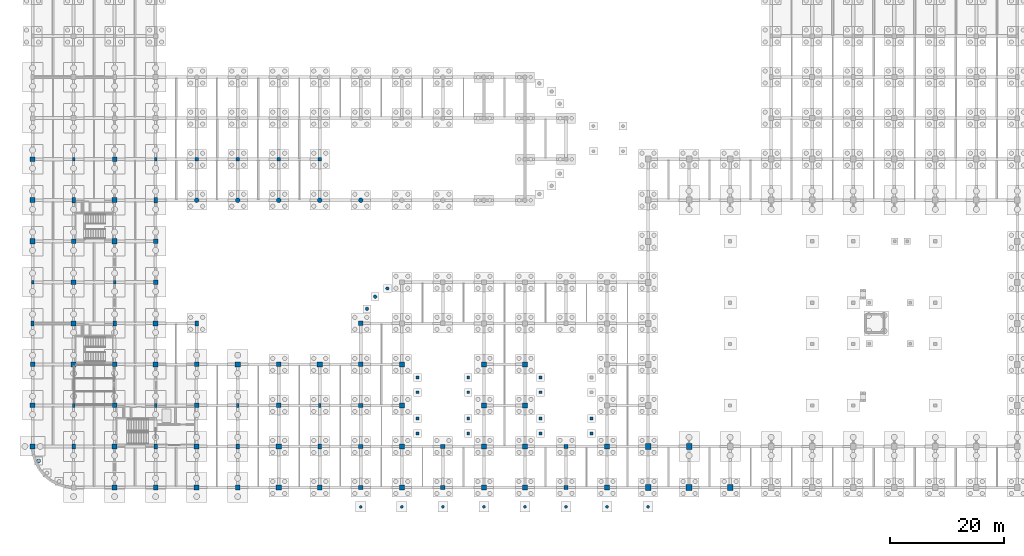
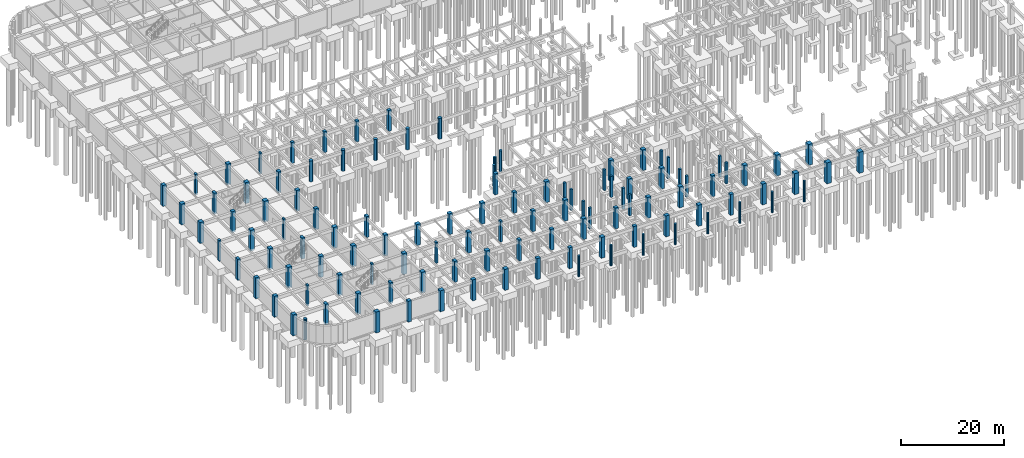
# One storey, part 14 of 47: 114 columns.
"""IFC4 building model written with IfcOpenShell, lengths in metres."""

import ifcopenshell
import ifcopenshell.guid

model = None  # the IFC model being written
_history = None  # IfcOwnerHistory: only IFC2X3 demands one
_inside = {}  # id of a spatial element -> (the spatial element, [elements in it])
_under = {}  # id of a project, library or spatial element -> (it, [spatial elements below it])
_declared = {}  # id of a project -> (the project, [libraries it declares])
_typed = {}  # id of a type object -> (the type object, [elements of that type])
_made_of = {}  # id of a material, layer set ... -> (it, [elements and type objects made of it])


def new_model(schema):
    """Start an empty IFC model of exactly this schema.

    Asked for "IFC4X3", IfcOpenShell would pick the latest addendum, in which some entities
    have other attributes; the version numbers below select the first issue.
    IFC2X3 requires an IfcOwnerHistory on every rooted entity: one is made here for all.
    """
    global model, _history
    if schema == "IFC4X3":
        model = ifcopenshell.file(schema_version=(4, 3, 0, 0))
    else:
        model = ifcopenshell.file(schema=schema)
    _inside.clear()
    _under.clear()
    _declared.clear()
    _typed.clear()
    _made_of.clear()
    _history = None
    if model.schema == "IFC2X3":
        org = make("IfcOrganization", Name="unknown")
        user = make(
            "IfcPersonAndOrganization",
            ThePerson=make("IfcPerson", FamilyName="unknown"),
            TheOrganization=org,
        )
        app = make(
            "IfcApplication",
            ApplicationDeveloper=org,
            Version="unknown",
            ApplicationFullName="unknown",
            ApplicationIdentifier="unknown",
        )
        _history = make(
            "IfcOwnerHistory",
            OwningUser=user,
            OwningApplication=app,
            ChangeAction="ADDED",
            CreationDate=0,
        )
    return model


def make(cls, **values):
    """One entity of the class cls with the attributes given. An attribute that is None is left unset."""
    return model.create_entity(
        cls, **{name: value for name, value in values.items() if value is not None}
    )


def rooted(cls, **values):
    """An entity with a GlobalId (a new one), such as an element, a storey or a relation."""
    return make(cls, GlobalId=ifcopenshell.guid.new(), OwnerHistory=_history, **values)


def si_unit(unit_type, name, prefix=None):
    """IfcSIUnit, for example si_unit("LENGTHUNIT", "METRE", prefix="MILLI")."""
    return make("IfcSIUnit", UnitType=unit_type, Prefix=prefix, Name=name)


def assignment(units):
    """IfcUnitAssignment: the units of a project."""
    return None if units is None else make("IfcUnitAssignment", Units=units)


def point(xyz):
    """IfcCartesianPoint."""
    return None if xyz is None else make("IfcCartesianPoint", Coordinates=xyz)


def direction(xyz):
    """IfcDirection."""
    return None if xyz is None else make("IfcDirection", DirectionRatios=xyz)


def frame(location, z_axis=None, x_axis=None):
    """IfcAxis2Placement3D, a coordinate frame: its origin and axes. An axis left out is left unset."""
    return make(
        "IfcAxis2Placement3D",
        Location=point(location),
        Axis=direction(z_axis),
        RefDirection=direction(x_axis),
    )


def frame_2d(location, x_axis=None):
    """IfcAxis2Placement2D, a coordinate frame in the plane: its origin and x axis."""
    return make(
        "IfcAxis2Placement2D", Location=point(location), RefDirection=direction(x_axis)
    )


def origin():
    """The frame at (0, 0, 0) with its axes left unset."""
    return frame((0.0, 0.0, 0.0))


def origin_2d():
    """The frame at (0, 0) in the plane with its x axis left unset."""
    return frame_2d((0.0, 0.0))


def place(relative_to, where):
    """IfcLocalPlacement: puts the frame where relative to a parent placement (None: the world)."""
    return make(
        "IfcLocalPlacement", PlacementRelTo=relative_to, RelativePlacement=where
    )


def context(
    kind, dimensions, precision=None, world=None, true_north=None, identifier=None
):
    """IfcGeometricRepresentationContext, for example the 3D "Model" context."""
    return make(
        "IfcGeometricRepresentationContext",
        ContextIdentifier=identifier,
        ContextType=kind,
        CoordinateSpaceDimension=dimensions,
        Precision=precision,
        WorldCoordinateSystem=world,
        TrueNorth=true_north,
    )


def subcontext(parent, identifier, kind, view, scale=None):
    """IfcGeometricRepresentationSubContext, for example "Body" below "Model"."""
    return make(
        "IfcGeometricRepresentationSubContext",
        ContextIdentifier=identifier,
        ContextType=kind,
        ParentContext=parent,
        TargetScale=scale,
        TargetView=view,
    )


def project(units=None, contexts=None):
    """IfcProject with its units and contexts."""
    return rooted(
        "IfcProject",
        Name="project",
        RepresentationContexts=contexts,
        UnitsInContext=assignment(units),
    )


def spatial(cls, under=None, at=None, **own):
    """A site, building, storey or space (cls), placed at a placement, below another one or the project."""
    s = rooted(cls, ObjectPlacement=at, **own)
    if under is not None:
        _under.setdefault(under.id(), (under, []))[1].append(s)
    return s


def profile(cls, at=None, kind="AREA", **sizes):
    """A parametric profile (cls). Its sizes go by their IFC names, for example OverallWidth=200.0."""
    return make(cls, ProfileType=kind, Position=at, **sizes)


def rectangle(**sizes):
    """IfcRectangleProfileDef."""
    return profile("IfcRectangleProfileDef", **sizes)


def circle(**sizes):
    """IfcCircleProfileDef."""
    return profile("IfcCircleProfileDef", **sizes)


def extrude(swept, where, along, depth):
    """IfcExtrudedAreaSolid: the profile swept, set in the frame where, extruded along a direction by depth."""
    return make(
        "IfcExtrudedAreaSolid",
        SweptArea=swept,
        Position=where,
        ExtrudedDirection=direction(along),
        Depth=depth,
    )


def shape(context_of_items, identifier, shape_type, items):
    """IfcShapeRepresentation: the items that make up one representation, for example the "Body"."""
    return make(
        "IfcShapeRepresentation",
        ContextOfItems=context_of_items,
        RepresentationIdentifier=identifier,
        RepresentationType=shape_type,
        Items=items,
    )


def material(Name=None, Category=None):
    """IfcMaterial."""
    return make("IfcMaterial", Name=Name, Category=Category)


def material_profile(
    of_material, cross_section, Name=None, Category=None, Priority=None
):
    """IfcMaterialProfile: a cross section and its material."""
    return make(
        "IfcMaterialProfile",
        Name=Name,
        Material=of_material,
        Profile=cross_section,
        Priority=Priority,
        Category=Category,
    )


def profile_set(profiles, Name=None, composite=None):
    """IfcMaterialProfileSet."""
    return make(
        "IfcMaterialProfileSet",
        Name=Name,
        MaterialProfiles=profiles,
        CompositeProfile=composite,
    )


def made_of(thing, what):
    """Note that an element or type object is made of a material, layer set ...; save() writes the relation."""
    if what is not None:
        _made_of.setdefault(what.id(), (what, []))[1].append(thing)
    return thing


def type_object(cls, material=None, **own):
    """A type object (cls), such as IfcWallType, which elements share."""
    return made_of(rooted(cls, **own), material)


def element(
    cls,
    number,
    at=None,
    inside=None,
    cuts=None,
    type_object=None,
    material=None,
    context=None,
    identifier="Body",
    shape_type=None,
    held_by="IfcProductDefinitionShape",
    body=None,
    shapes=None,
    **own,
):
    """One element of the class cls, such as IfcWall. Its Tag is "e" and its number.

    at: its placement. inside: the storey or other place that contains it. cuts: it is an
    opening in that element (IfcRelVoidsElement). A single representation is given by context,
    identifier, shape_type and body (its items); several are given by shapes. held_by: the class
    of the entity that holds the representations. save() writes the other relations.
    """
    e = rooted(cls, Tag="e%d" % number, ObjectPlacement=at, **own)
    if body is not None:
        shapes = [shape(context, identifier, shape_type, body)]
    if shapes is not None:
        e.Representation = make(held_by, Representations=shapes)
    if inside is not None:
        _inside.setdefault(inside.id(), (inside, []))[1].append(e)
    if cuts is not None:
        rooted(
            "IfcRelVoidsElement", RelatingBuildingElement=cuts, RelatedOpeningElement=e
        )
    if type_object is not None:
        _typed.setdefault(type_object.id(), (type_object, []))[1].append(e)
    return made_of(e, material)


def aggregate(whole, parts):
    """IfcRelAggregates: a whole, such as a stair, and the parts it consists of."""
    return rooted("IfcRelAggregates", RelatingObject=whole, RelatedObjects=parts)


def save(model, path):
    """Write the relations noted so far, then the file.

    IfcRelAggregates (storeys below a building ...), IfcRelContainedInSpatialStructure (elements
    in a storey), IfcRelDefinesByType, IfcRelAssociatesMaterial and IfcRelDeclares: one each for
    every whole, place, type object, material and project.
    """
    for whole, parts in _under.values():
        aggregate(whole, parts)
    for where, things in _inside.values():
        rooted(
            "IfcRelContainedInSpatialStructure",
            RelatedElements=things,
            RelatingStructure=where,
        )
    for kind, things in _typed.values():
        rooted("IfcRelDefinesByType", RelatedObjects=things, RelatingType=kind)
    for what, things in _made_of.values():
        rooted("IfcRelAssociatesMaterial", RelatedObjects=things, RelatingMaterial=what)
    for by, libraries in _declared.values():
        rooted("IfcRelDeclares", RelatingContext=by, RelatedDefinitions=libraries)
    model.write(path)


model = new_model("IFC4")

# Units and contexts
model_context = context("Model", 3, precision=1e-05, world=origin(), true_north=direction((0.0, 1.0)))
body_context = subcontext(model_context, "Body", "Model", "MODEL_VIEW")
ifc_project = project(units=[si_unit("LENGTHUNIT", "METRE"), si_unit("AREAUNIT", "SQUARE_METRE"), si_unit("VOLUMEUNIT", "CUBIC_METRE"), si_unit("PLANEANGLEUNIT", "RADIAN"), si_unit("MASSUNIT", "GRAM", prefix="KILO")], contexts=[model_context])

# Site, building, storey
site_placement = place(None, origin())
site = spatial("IfcSite", under=ifc_project, at=site_placement, CompositionType="ELEMENT")
building_placement = place(site_placement, origin())
building = spatial("IfcBuilding", under=site, at=building_placement, Name="Thalmaran Polytechnic", CompositionType="ELEMENT")
storey_placement = place(building_placement, frame((0.0, 0.0, -4.5)))
storey = spatial("IfcBuildingStorey", under=building, at=storey_placement, Name="B1", CompositionType="ELEMENT", Elevation=-4.5)

# Columns
ifc_material_1 = material(Name="Concrete C40/50", Category="concrete")
ifc_material_profile_1 = material_profile(ifc_material_1, circle(Radius=0.25, at=origin_2d()), Name="RC 500 DIA")
ifc_profile_set_1 = profile_set([ifc_material_profile_1], Name="Concrete C40/50")
column_type_1 = type_object("IfcColumnType", Name="COL-AC1", PredefinedType="COLUMN", material=ifc_profile_set_1)
for number, where, z_axis, x_axis, name in (
    (1, (57.60009765625, -3.39990234375, -0.449951171875), (0.0, 0.0, 1.0), (1.0, 0.0, 0.0), "South Arcade Foundation Pier S0"),
    (2, (64.800048828125, -3.39990234375, -0.449951171875), (0.0, 0.0, 1.0), (1.0, 0.0, 0.0), "South Arcade Foundation Pier S1"),
    (3, (72.0, -3.39990234375, -0.449951171875), (0.0, 0.0, 1.0), (1.0, 0.0, 0.0), "South Arcade Foundation Pier S2"),
    (4, (79.199951171875, -3.39990234375, -0.449951171875), (0.0, 0.0, 1.0), (1.0, 0.0, 0.0), "South Arcade Foundation Pier S3"),
    (5, (86.39990234375, -3.39990234375, -0.449951171875), (0.0, 0.0, 1.0), (1.0, 0.0, 0.0), "South Arcade Foundation Pier S4"),
    (6, (93.60009765625, -3.39990234375, -0.449951171875), (0.0, 0.0, 1.0), (1.0, 0.0, 0.0), "South Arcade Foundation Pier S5"),
    (7, (100.800048828125, -3.39990234375, -0.449951171875), (0.0, 0.0, 1.0), (1.0, 0.0, 0.0), "South Arcade Foundation Pier S6"),
    (8, (108.0, -3.39990234375, -0.449951171875), (0.0, 0.0, 1.0), (1.0, 0.0, 0.0), "South Arcade Foundation Pier S7"),
):
    element("IfcColumn", number, at=place(storey_placement, frame(where, z_axis=z_axis, x_axis=x_axis)), inside=storey, type_object=column_type_1, Name=name, PredefinedType="COLUMN", context=body_context, shape_type="SweptSolid", body=[
        extrude(circle(Radius=0.25, at=origin_2d()), origin(), (0.0, 0.0, 1.0), 4.949951171875),
    ])
ifc_material_2 = material(Name="Concrete C50/60", Category="concrete")
ifc_material_profile_2 = material_profile(ifc_material_2, rectangle(XDim=0.89990234375, YDim=0.89990234375, at=origin_2d()), Name="RC 900x900")
ifc_profile_set_2 = profile_set([ifc_material_profile_2], Name="Concrete C50/60")
column_type_2 = type_object("IfcColumnType", Name="COL-C01", PredefinedType="COLUMN", material=ifc_profile_set_2)
for number, where, z_axis, x_axis, name in (
    (9, (0.0, 43.199951171875, -0.449951171875), (0.0, 0.0, 1.0), (1.0, 0.0, 0.0), "Column C01 B1 (0,6)"),
    (10, (7.199951171875, 21.60009765625, -0.449951171875), (0.0, 0.0, 1.0), (1.0, 0.0, 0.0), "Column C01 B1 (1,3)"),
    (11, (14.39990234375, 0.0, -0.449951171875), (0.0, 0.0, 1.0), (1.0, 0.0, 0.0), "Column C01 B1 (2,0)"),
    (12, (14.39990234375, 43.199951171875, -0.449951171875), (0.0, 0.0, 1.0), (1.0, 0.0, 0.0), "Column C01 B1 (2,6)"),
    (13, (21.60009765625, 21.60009765625, -0.449951171875), (0.0, 0.0, 1.0), (1.0, 0.0, 0.0), "Column C01 B1 (3,3)"),
    (14, (28.800048828125, 0.0, -0.449951171875), (0.0, 0.0, 1.0), (1.0, 0.0, 0.0), "Column C01 B1 (4,0)"),
    (15, (36.0, 21.60009765625, -0.449951171875), (0.0, 0.0, 1.0), (1.0, 0.0, 0.0), "Column C01 B1 (5,3)"),
    (16, (43.199951171875, 0.0, -0.449951171875), (0.0, 0.0, 1.0), (1.0, 0.0, 0.0), "Column C01 B1 (6,0)"),
    (17, (50.39990234375, 21.60009765625, -0.449951171875), (0.0, 0.0, 1.0), (1.0, 0.0, 0.0), "Column C01 B1 (7,3)"),
):
    element("IfcColumn", number, at=place(storey_placement, frame(where, z_axis=z_axis, x_axis=x_axis)), inside=storey, type_object=column_type_2, Name=name, PredefinedType="COLUMN", context=body_context, shape_type="SweptSolid", body=[
        extrude(rectangle(XDim=0.89990234375, YDim=0.89990234375, at=origin_2d()), origin(), (0.0, 0.0, 1.0), 4.949951171875),
    ])
ifc_material_profile_3 = material_profile(ifc_material_2, rectangle(XDim=0.85009765625, YDim=0.85009765625, at=origin_2d()), Name="RC 850x850")
ifc_profile_set_3 = profile_set([ifc_material_profile_3], Name="Concrete C50/60")
column_type_3 = type_object("IfcColumnType", Name="COL-C02", PredefinedType="COLUMN", material=ifc_profile_set_3)
for number, where, z_axis, x_axis, name in (
    (18, (64.800048828125, 0.0, -0.449951171875), (0.0, 0.0, 1.0), (1.0, 0.0, 0.0), "Column C02 B1 (9,0)"),
    (19, (64.800048828125, 7.199951171875, -0.449951171875), (0.0, 0.0, 1.0), (1.0, 0.0, 0.0), "Column C02 B1 (9,1)"),
    (20, (64.800048828125, 14.39990234375, -0.449951171875), (0.0, 0.0, 1.0), (1.0, 0.0, 0.0), "Column C02 B1 (9,2)"),
    (21, (64.800048828125, 21.60009765625, -0.449951171875), (0.0, 0.0, 1.0), (1.0, 0.0, 0.0), "Column C02 B1 (9,3)"),
    (22, (79.199951171875, 0.0, -0.449951171875), (0.0, 0.0, 1.0), (1.0, 0.0, 0.0), "Column C02 B1 (11,0)"),
    (23, (79.199951171875, 7.199951171875, -0.449951171875), (0.0, 0.0, 1.0), (1.0, 0.0, 0.0), "Column C02 B1 (11,1)"),
    (24, (79.199951171875, 14.39990234375, -0.449951171875), (0.0, 0.0, 1.0), (1.0, 0.0, 0.0), "Column C02 B1 (11,2)"),
    (25, (79.199951171875, 21.60009765625, -0.449951171875), (0.0, 0.0, 1.0), (1.0, 0.0, 0.0), "Column C02 B1 (11,3)"),
    (26, (86.39990234375, 0.0, -0.449951171875), (0.0, 0.0, 1.0), (1.0, 0.0, 0.0), "Column C02 B1 (12,0)"),
    (27, (86.39990234375, 7.199951171875, -0.449951171875), (0.0, 0.0, 1.0), (1.0, 0.0, 0.0), "Column C02 B1 (12,1)"),
    (28, (86.39990234375, 14.39990234375, -0.449951171875), (0.0, 0.0, 1.0), (1.0, 0.0, 0.0), "Column C02 B1 (12,2)"),
    (29, (86.39990234375, 21.60009765625, -0.449951171875), (0.0, 0.0, 1.0), (1.0, 0.0, 0.0), "Column C02 B1 (12,3)"),
    (30, (100.800048828125, 0.0, -0.449951171875), (0.0, 0.0, 1.0), (1.0, 0.0, 0.0), "Column C02 B1 (14,0)"),
    (31, (100.800048828125, 7.199951171875, -0.449951171875), (0.0, 0.0, 1.0), (1.0, 0.0, 0.0), "Column C02 B1 (14,1)"),
):
    element("IfcColumn", number, at=place(storey_placement, frame(where, z_axis=z_axis, x_axis=x_axis)), inside=storey, type_object=column_type_3, Name=name, PredefinedType="COLUMN", context=body_context, shape_type="SweptSolid", body=[
        extrude(rectangle(XDim=0.85009765625, YDim=0.85009765625, at=origin_2d()), origin(), (0.0, 0.0, 1.0), 4.949951171875),
    ])
ifc_material_profile_4 = material_profile(ifc_material_2, rectangle(XDim=0.800048828125, YDim=0.800048828125, at=origin_2d()), Name="RC 800x800")
ifc_profile_set_4 = profile_set([ifc_material_profile_4], Name="Concrete C50/60")
column_type_4 = type_object("IfcColumnType", Name="COL-C03", PredefinedType="COLUMN", material=ifc_profile_set_4)
for number, where, z_axis, x_axis, name in (
    (32, (0.0, 21.60009765625, -0.449951171875), (0.0, 0.0, 1.0), (1.0, 0.0, 0.0), "Column C03 B1 (0,3)"),
    (33, (7.199951171875, 43.199951171875, -0.449951171875), (0.0, 0.0, 1.0), (1.0, 0.0, 0.0), "Column C03 B1 (1,6)"),
    (34, (14.39990234375, 21.60009765625, -0.449951171875), (0.0, 0.0, 1.0), (1.0, 0.0, 0.0), "Column C03 B1 (2,3)"),
    (35, (21.60009765625, 0.0, -0.449951171875), (0.0, 0.0, 1.0), (1.0, 0.0, 0.0), "Column C03 B1 (3,0)"),
    (36, (21.60009765625, 43.199951171875, -0.449951171875), (0.0, 0.0, 1.0), (1.0, 0.0, 0.0), "Column C03 B1 (3,6)"),
    (37, (28.800048828125, 21.60009765625, -0.449951171875), (0.0, 0.0, 1.0), (1.0, 0.0, 0.0), "Column C03 B1 (4,3)"),
    (38, (36.0, 0.0, -0.449951171875), (0.0, 0.0, 1.0), (1.0, 0.0, 0.0), "Column C03 B1 (5,0)"),
    (39, (43.199951171875, 21.60009765625, -0.449951171875), (0.0, 0.0, 1.0), (1.0, 0.0, 0.0), "Column C03 B1 (6,3)"),
    (40, (50.39990234375, 0.0, -0.449951171875), (0.0, 0.0, 1.0), (1.0, 0.0, 0.0), "Column C03 B1 (7,0)"),
):
    element("IfcColumn", number, at=place(storey_placement, frame(where, z_axis=z_axis, x_axis=x_axis)), inside=storey, type_object=column_type_4, Name=name, PredefinedType="COLUMN", context=body_context, shape_type="SweptSolid", body=[
        extrude(rectangle(XDim=0.800048828125, YDim=0.800048828125, at=origin_2d()), origin(), (0.0, 0.0, 1.0), 4.949951171875),
    ])
ifc_material_profile_5 = material_profile(ifc_material_2, rectangle(XDim=0.75, YDim=0.75, at=origin_2d()), Name="RC 750x750")
ifc_profile_set_5 = profile_set([ifc_material_profile_5], Name="Concrete C50/60")
column_type_5 = type_object("IfcColumnType", Name="COL-C04", PredefinedType="COLUMN", material=ifc_profile_set_5)
for number, where, z_axis, x_axis, name in (
    (41, (57.60009765625, 0.0, -0.449951171875), (0.0, 0.0, 1.0), (1.0, 0.0, 0.0), "Column C04 B1 (8,0)"),
    (42, (57.60009765625, 7.199951171875, -0.449951171875), (0.0, 0.0, 1.0), (1.0, 0.0, 0.0), "Column C04 B1 (8,1)"),
    (43, (57.60009765625, 14.39990234375, -0.449951171875), (0.0, 0.0, 1.0), (1.0, 0.0, 0.0), "Column C04 B1 (8,2)"),
    (44, (57.60009765625, 21.60009765625, -0.449951171875), (0.0, 0.0, 1.0), (1.0, 0.0, 0.0), "Column C04 B1 (8,3)"),
    (45, (57.60009765625, 28.800048828125, -0.449951171875), (0.0, 0.0, 1.0), (1.0, 0.0, 0.0), "Column C04 B1 (8,4)"),
    (46, (72.0, 0.0, -0.449951171875), (0.0, 0.0, 1.0), (1.0, 0.0, 0.0), "Column C04 B1 (10,0)"),
    (47, (72.0, 7.199951171875, -0.449951171875), (0.0, 0.0, 1.0), (1.0, 0.0, 0.0), "Column C04 B1 (10,1)"),
    (48, (93.60009765625, 0.0, -0.449951171875), (0.0, 0.0, 1.0), (1.0, 0.0, 0.0), "Column C04 B1 (13,0)"),
    (49, (93.60009765625, 7.199951171875, -0.449951171875), (0.0, 0.0, 1.0), (1.0, 0.0, 0.0), "Column C04 B1 (13,1)"),
):
    element("IfcColumn", number, at=place(storey_placement, frame(where, z_axis=z_axis, x_axis=x_axis)), inside=storey, type_object=column_type_5, Name=name, PredefinedType="COLUMN", context=body_context, shape_type="SweptSolid", body=[
        extrude(rectangle(XDim=0.75, YDim=0.75, at=origin_2d()), origin(), (0.0, 0.0, 1.0), 4.949951171875),
    ])
ifc_material_profile_6 = material_profile(ifc_material_1, rectangle(XDim=0.64990234375, YDim=0.64990234375, at=origin_2d()), Name="RC 650x650")
ifc_profile_set_6 = profile_set([ifc_material_profile_6], Name="Concrete C40/50")
column_type_6 = type_object("IfcColumnType", Name="COL-C06", PredefinedType="COLUMN", material=ifc_profile_set_6)
for number, where, z_axis, x_axis, name in (
    (50, (28.800048828125, 57.60009765625, -0.449951171875), (0.0, 0.0, 1.0), (1.0, 0.0, 0.0), "Column C06 B1 (4,8)"),
    (51, (36.0, 57.60009765625, -0.449951171875), (0.0, 0.0, 1.0), (1.0, 0.0, 0.0), "Column C06 B1 (5,8)"),
    (52, (43.199951171875, 57.60009765625, -0.449951171875), (0.0, 0.0, 1.0), (1.0, 0.0, 0.0), "Column C06 B1 (6,8)"),
    (53, (50.39990234375, 57.60009765625, -0.449951171875), (0.0, 0.0, 1.0), (1.0, 0.0, 0.0), "Column C06 B1 (7,8)"),
):
    element("IfcColumn", number, at=place(storey_placement, frame(where, z_axis=z_axis, x_axis=x_axis)), inside=storey, type_object=column_type_6, Name=name, PredefinedType="COLUMN", context=body_context, shape_type="SweptSolid", body=[
        extrude(rectangle(XDim=0.64990234375, YDim=0.64990234375, at=origin_2d()), origin(), (0.0, 0.0, 1.0), 4.949951171875),
    ])
ifc_material_profile_7 = material_profile(ifc_material_1, rectangle(XDim=0.5, YDim=0.5, at=origin_2d()), Name="RC 500x500")
ifc_profile_set_7 = profile_set([ifc_material_profile_7], Name="Concrete C40/50")
column_type_7 = type_object("IfcColumnType", Name="COL-C09", PredefinedType="COLUMN", material=ifc_profile_set_7)
for number, where, z_axis, x_axis, name in (
    (54, (67.550048828125, 9.5, -0.449951171875), (0.0, 0.0, 1.0), (1.0, 0.0, 0.0), "Lecture Tier Pedestal B1 1-1"),
    (55, (67.550048828125, 12.10009765625, -0.449951171875), (0.0, 0.0, 1.0), (1.0, 0.0, 0.0), "Lecture Tier Pedestal B1 1-1"),
    (56, (76.449951171875, 9.5, -0.449951171875), (0.0, 0.0, 1.0), (1.0, 0.0, 0.0), "Lecture Tier Pedestal B1 1-1"),
    (57, (76.449951171875, 12.10009765625, -0.449951171875), (0.0, 0.0, 1.0), (1.0, 0.0, 0.0), "Lecture Tier Pedestal B1 1-1"),
    (58, (67.550048828125, 16.699951171875, -0.449951171875), (0.0, 0.0, 1.0), (1.0, 0.0, 0.0), "Lecture Tier Pedestal B1 1-2"),
    (59, (67.550048828125, 19.300048828125, -0.449951171875), (0.0, 0.0, 1.0), (1.0, 0.0, 0.0), "Lecture Tier Pedestal B1 1-2"),
    (60, (76.449951171875, 16.699951171875, -0.449951171875), (0.0, 0.0, 1.0), (1.0, 0.0, 0.0), "Lecture Tier Pedestal B1 1-2"),
    (61, (76.449951171875, 19.300048828125, -0.449951171875), (0.0, 0.0, 1.0), (1.0, 0.0, 0.0), "Lecture Tier Pedestal B1 1-2"),
    (62, (89.14990234375, 9.5, -0.449951171875), (0.0, 0.0, 1.0), (1.0, 0.0, 0.0), "Lecture Tier Pedestal B1 2-1"),
    (63, (89.14990234375, 12.10009765625, -0.449951171875), (0.0, 0.0, 1.0), (1.0, 0.0, 0.0), "Lecture Tier Pedestal B1 2-1"),
    (64, (98.050048828125, 9.5, -0.449951171875), (0.0, 0.0, 1.0), (1.0, 0.0, 0.0), "Lecture Tier Pedestal B1 2-1"),
    (65, (98.050048828125, 12.10009765625, -0.449951171875), (0.0, 0.0, 1.0), (1.0, 0.0, 0.0), "Lecture Tier Pedestal B1 2-1"),
    (66, (89.14990234375, 16.699951171875, -0.449951171875), (0.0, 0.0, 1.0), (1.0, 0.0, 0.0), "Lecture Tier Pedestal B1 2-2"),
    (67, (89.14990234375, 19.300048828125, -0.449951171875), (0.0, 0.0, 1.0), (1.0, 0.0, 0.0), "Lecture Tier Pedestal B1 2-2"),
):
    element("IfcColumn", number, at=place(storey_placement, frame(where, z_axis=z_axis, x_axis=x_axis)), inside=storey, type_object=column_type_7, Name=name, PredefinedType="COLUMN", context=body_context, shape_type="SweptSolid", body=[
        extrude(rectangle(XDim=0.5, YDim=0.5, at=origin_2d()), origin(), (0.0, 0.0, 1.0), 4.949951171875),
    ])
ifc_material_profile_8 = material_profile(ifc_material_2, rectangle(XDim=0.60009765625, YDim=0.89990234375, at=origin_2d()), Name="RC 600x900")
ifc_profile_set_8 = profile_set([ifc_material_profile_8], Name="Concrete C50/60")
column_type_8 = type_object("IfcColumnType", Name="COL-C11", PredefinedType="COLUMN", material=ifc_profile_set_8)
for number, where, z_axis, x_axis, name in (
    (68, (0.0, 28.800048828125, -0.449951171875), (0.0, 0.0, 1.0), (1.0, 0.0, 0.0), "Column C11 B1 (0,4)"),
    (69, (7.199951171875, 7.199951171875, -0.449951171875), (0.0, 0.0, 1.0), (1.0, 0.0, 0.0), "Column C11 B1 (1,1)"),
    (70, (7.199951171875, 50.39990234375, -0.449951171875), (0.0, 0.0, 1.0), (1.0, 0.0, 0.0), "Column C11 B1 (1,7)"),
    (71, (14.39990234375, 28.800048828125, -0.449951171875), (0.0, 0.0, 1.0), (1.0, 0.0, 0.0), "Column C11 B1 (2,4)"),
    (72, (21.60009765625, 7.199951171875, -0.449951171875), (0.0, 0.0, 1.0), (1.0, 0.0, 0.0), "Column C11 B1 (3,1)"),
    (73, (21.60009765625, 50.39990234375, -0.449951171875), (0.0, 0.0, 1.0), (1.0, 0.0, 0.0), "Column C11 B1 (3,7)"),
    (74, (28.800048828125, 28.800048828125, -0.449951171875), (0.0, 0.0, 1.0), (1.0, 0.0, 0.0), "Column C11 B1 (4,4)"),
    (75, (36.0, 7.199951171875, -0.449951171875), (0.0, 0.0, 1.0), (1.0, 0.0, 0.0), "Column C11 B1 (5,1)"),
    (76, (50.39990234375, 7.199951171875, -0.449951171875), (0.0, 0.0, 1.0), (1.0, 0.0, 0.0), "Column C11 B1 (7,1)"),
):
    element("IfcColumn", number, at=place(storey_placement, frame(where, z_axis=z_axis, x_axis=x_axis)), inside=storey, type_object=column_type_8, Name=name, PredefinedType="COLUMN", context=body_context, shape_type="SweptSolid", body=[
        extrude(rectangle(XDim=0.60009765625, YDim=0.89990234375, at=origin_2d()), origin(), (0.0, 0.0, 1.0), 4.949951171875),
    ])
ifc_material_profile_9 = material_profile(ifc_material_2, circle(Radius=0.39990234375, at=origin_2d()), Name="RC 800 DIA")
ifc_profile_set_9 = profile_set([ifc_material_profile_9], Name="Concrete C50/60")
column_type_9 = type_object("IfcColumnType", Name="COL-C14", PredefinedType="COLUMN", material=ifc_profile_set_9)
for number, where, z_axis, x_axis, name in (
    (77, (28.800048828125, 50.39990234375, -0.449951171875), (0.0, 0.0, 1.0), (1.0, 0.0, 0.0), "Column C14 B1 (4,7)"),
    (78, (36.0, 50.39990234375, -0.449951171875), (0.0, 0.0, 1.0), (1.0, 0.0, 0.0), "Column C14 B1 (5,7)"),
    (79, (43.199951171875, 50.39990234375, -0.449951171875), (0.0, 0.0, 1.0), (1.0, 0.0, 0.0), "Column C14 B1 (6,7)"),
    (80, (50.39990234375, 50.39990234375, -0.449951171875), (0.0, 0.0, 1.0), (1.0, 0.0, 0.0), "Column C14 B1 (7,7)"),
    (81, (57.60009765625, 50.39990234375, -0.449951171875), (0.0, 0.0, 1.0), (1.0, 0.0, 0.0), "Column C14 B1 (8,7)"),
):
    element("IfcColumn", number, at=place(storey_placement, frame(where, z_axis=z_axis, x_axis=x_axis)), inside=storey, type_object=column_type_9, Name=name, PredefinedType="COLUMN", context=body_context, shape_type="SweptSolid", body=[
        extrude(circle(Radius=0.39990234375, at=origin_2d()), origin(), (0.0, 0.0, 1.0), 4.949951171875),
    ])
ifc_material_profile_10 = material_profile(ifc_material_1, circle(Radius=0.35009765625, at=origin_2d()), Name="RC 700 DIA")
ifc_profile_set_10 = profile_set([ifc_material_profile_10], Name="Concrete C40/50")
column_type_10 = type_object("IfcColumnType", Name="COL-C15", PredefinedType="COLUMN", material=ifc_profile_set_10)
column_1_placement = place(storey_placement, frame((1.083984375, 4.666748046875, -0.449951171875), z_axis=(0.0, 0.0, 1.0), x_axis=(1.0, 0.0, 0.0)))
element("IfcColumn", 82, at=column_1_placement, inside=storey, type_object=column_type_10, Name="Prow Column SWP1 B1", PredefinedType="COLUMN", context=body_context, shape_type="SweptSolid", body=[
    extrude(circle(Radius=0.35009765625, at=origin_2d()), origin(), (0.0, 0.0, 1.0), 4.949951171875),
])
ifc_material_profile_11 = material_profile(ifc_material_1, circle(Radius=0.300048828125, at=origin_2d()), Name="RC 600 DIA")
ifc_profile_set_11 = profile_set([ifc_material_profile_11], Name="Concrete C40/50")
column_type_11 = type_object("IfcColumnType", Name="COL-C16", PredefinedType="COLUMN", material=ifc_profile_set_11)
for number, where, z_axis, x_axis, name in (
    (83, (62.2666015625, 34.916015625, -0.449951171875), (0.0, 0.0, 1.0), (1.0, 0.0, 0.0), "Prow Column LTP1 B1"),
    (84, (60.118896484375, 33.48095703125, -0.449951171875), (0.0, 0.0, 1.0), (1.0, 0.0, 0.0), "Prow Column LTP2 B1"),
    (85, (58.683837890625, 31.333251953125, -0.449951171875), (0.0, 0.0, 1.0), (1.0, 0.0, 0.0), "Prow Column LTP3 B1"),
):
    element("IfcColumn", number, at=place(storey_placement, frame(where, z_axis=z_axis, x_axis=x_axis)), inside=storey, type_object=column_type_11, Name=name, PredefinedType="COLUMN", context=body_context, shape_type="SweptSolid", body=[
        extrude(circle(Radius=0.300048828125, at=origin_2d()), origin(), (0.0, 0.0, 1.0), 4.949951171875),
    ])
ifc_material_profile_12 = material_profile(ifc_material_1, rectangle(XDim=0.449951171875, YDim=0.64990234375, at=origin_2d()), Name="RC 450x650")
ifc_profile_set_12 = profile_set([ifc_material_profile_12], Name="Concrete C40/50")
column_type_12 = type_object("IfcColumnType", Name="COL-PL1", PredefinedType="PILASTER", material=ifc_profile_set_12)
for number, where, z_axis, x_axis, name in (
    (86, (0.0, 36.0, -0.449951171875), (0.0, 0.0, 1.0), (1.0, 0.0, 0.0), "Column PL1 B1 (0,5)"),
    (87, (7.199951171875, 14.39990234375, -0.449951171875), (0.0, 0.0, 1.0), (1.0, 0.0, 0.0), "Column PL1 B1 (1,2)"),
    (88, (7.199951171875, 57.60009765625, -0.449951171875), (0.0, 0.0, 1.0), (1.0, 0.0, 0.0), "Column PL1 B1 (1,8)"),
    (89, (14.39990234375, 36.0, -0.449951171875), (0.0, 0.0, 1.0), (1.0, 0.0, 0.0), "Column PL1 B1 (2,5)"),
    (90, (21.60009765625, 14.39990234375, -0.449951171875), (0.0, 0.0, 1.0), (1.0, 0.0, 0.0), "Column PL1 B1 (3,2)"),
    (91, (21.60009765625, 57.60009765625, -0.449951171875), (0.0, 0.0, 1.0), (1.0, 0.0, 0.0), "Column PL1 B1 (3,8)"),
    (92, (36.0, 14.39990234375, -0.449951171875), (0.0, 0.0, 1.0), (1.0, 0.0, 0.0), "Column PL1 B1 (5,2)"),
    (93, (50.39990234375, 14.39990234375, -0.449951171875), (0.0, 0.0, 1.0), (1.0, 0.0, 0.0), "Column PL1 B1 (7,2)"),
):
    element("IfcColumn", number, at=place(storey_placement, frame(where, z_axis=z_axis, x_axis=x_axis)), inside=storey, type_object=column_type_12, Name=name, PredefinedType="PILASTER", context=body_context, shape_type="SweptSolid", body=[
        extrude(rectangle(XDim=0.449951171875, YDim=0.64990234375, at=origin_2d()), origin(), (0.0, 0.0, 1.0), 4.949951171875),
    ])
ifc_material_profile_13 = material_profile(ifc_material_2, rectangle(XDim=1.0, YDim=1.0, at=origin_2d()), Name="RC 1000x1000")
ifc_profile_set_13 = profile_set([ifc_material_profile_13], Name="Concrete C50/60")
column_type_13 = type_object("IfcColumnType", Name="COL-WP1", PredefinedType="COLUMN", material=ifc_profile_set_13)
column_2_placement = place(storey_placement, frame((115.199951171875, 0.0, -0.449951171875), z_axis=(0.0, 0.0, 1.0), x_axis=(1.0, 0.0, 0.0)))
element("IfcColumn", 94, at=column_2_placement, inside=storey, type_object=column_type_13, Name="Column WP1 B1 (16,0)", PredefinedType="COLUMN", context=body_context, shape_type="SweptSolid", body=[
    extrude(rectangle(XDim=1.0, YDim=1.0, at=origin_2d()), origin(), (0.0, 0.0, 1.0), 4.949951171875),
])
ifc_material_profile_14 = material_profile(ifc_material_2, rectangle(XDim=0.949951171875, YDim=1.050048828125, at=origin_2d()), Name="RC 950x1050")
ifc_profile_set_14 = profile_set([ifc_material_profile_14], Name="Concrete C50/60")
column_type_14 = type_object("IfcColumnType", Name="COL-WP2", PredefinedType="COLUMN", material=ifc_profile_set_14)
for number, where, z_axis, x_axis, name in (
    (95, (108.0, 0.0, -0.449951171875), (0.0, 0.0, 1.0), (1.0, 0.0, 0.0), "Column WP2 B1 (15,0)"),
    (96, (108.0, 7.199951171875, -0.449951171875), (0.0, 0.0, 1.0), (1.0, 0.0, 0.0), "Column WP2 B1 (15,1)"),
    (97, (115.199951171875, 7.199951171875, -0.449951171875), (0.0, 0.0, 1.0), (1.0, 0.0, 0.0), "Column WP2 B1 (16,1)"),
    (98, (122.39990234375, 0.0, -0.449951171875), (0.0, 0.0, 1.0), (1.0, 0.0, 0.0), "Column WP2 B1 (17,0)"),
):
    element("IfcColumn", number, at=place(storey_placement, frame(where, z_axis=z_axis, x_axis=x_axis)), inside=storey, type_object=column_type_14, Name=name, PredefinedType="COLUMN", context=body_context, shape_type="SweptSolid", body=[
        extrude(rectangle(XDim=0.949951171875, YDim=1.050048828125, at=origin_2d()), origin(), (0.0, 0.0, 1.0), 4.949951171875),
    ])
ifc_material_profile_15 = material_profile(ifc_material_2, rectangle(XDim=0.8798828125, YDim=0.8798828125, at=origin_2d()), Name="RC 880x880")
ifc_profile_set_15 = profile_set([ifc_material_profile_15], Name="Concrete C50/60")
column_type_15 = type_object("IfcColumnType", Name="COL-ZC01", PredefinedType="COLUMN", material=ifc_profile_set_15)
for number, where, z_axis, x_axis, name in (
    (99, (0.0, 7.199951171875, -0.449951171875), (0.0, 0.0, 1.0), (1.0, 0.0, 0.0), "Column ZC01 B1 (0,1)"),
    (100, (0.0, 50.39990234375, -0.449951171875), (0.0, 0.0, 1.0), (1.0, 0.0, 0.0), "Column ZC01 B1 (0,7)"),
    (101, (7.199951171875, 28.800048828125, -0.449951171875), (0.0, 0.0, 1.0), (1.0, 0.0, 0.0), "Column ZC01 B1 (1,4)"),
    (102, (14.39990234375, 7.199951171875, -0.449951171875), (0.0, 0.0, 1.0), (1.0, 0.0, 0.0), "Column ZC01 B1 (2,1)"),
    (103, (14.39990234375, 50.39990234375, -0.449951171875), (0.0, 0.0, 1.0), (1.0, 0.0, 0.0), "Column ZC01 B1 (2,7)"),
    (104, (21.60009765625, 28.800048828125, -0.449951171875), (0.0, 0.0, 1.0), (1.0, 0.0, 0.0), "Column ZC01 B1 (3,4)"),
    (105, (28.800048828125, 7.199951171875, -0.449951171875), (0.0, 0.0, 1.0), (1.0, 0.0, 0.0), "Column ZC01 B1 (4,1)"),
    (106, (43.199951171875, 7.199951171875, -0.449951171875), (0.0, 0.0, 1.0), (1.0, 0.0, 0.0), "Column ZC01 B1 (6,1)"),
):
    element("IfcColumn", number, at=place(storey_placement, frame(where, z_axis=z_axis, x_axis=x_axis)), inside=storey, type_object=column_type_15, Name=name, PredefinedType="COLUMN", context=body_context, shape_type="SweptSolid", body=[
        extrude(rectangle(XDim=0.8798828125, YDim=0.8798828125, at=origin_2d()), origin(), (0.0, 0.0, 1.0), 4.949951171875),
    ])
ifc_material_profile_16 = material_profile(ifc_material_2, rectangle(XDim=0.820068359375, YDim=0.820068359375, at=origin_2d()), Name="RC 820x820")
ifc_profile_set_16 = profile_set([ifc_material_profile_16], Name="Concrete C50/60")
column_type_16 = type_object("IfcColumnType", Name="COL-ZC02", PredefinedType="COLUMN", material=ifc_profile_set_16)
for number, where, z_axis, x_axis, name in (
    (107, (0.0, 14.39990234375, -0.449951171875), (0.0, 0.0, 1.0), (1.0, 0.0, 0.0), "Column ZC02 B1 (0,2)"),
    (108, (0.0, 57.60009765625, -0.449951171875), (0.0, 0.0, 1.0), (1.0, 0.0, 0.0), "Column ZC02 B1 (0,8)"),
    (109, (7.199951171875, 36.0, -0.449951171875), (0.0, 0.0, 1.0), (1.0, 0.0, 0.0), "Column ZC02 B1 (1,5)"),
    (110, (14.39990234375, 14.39990234375, -0.449951171875), (0.0, 0.0, 1.0), (1.0, 0.0, 0.0), "Column ZC02 B1 (2,2)"),
    (111, (14.39990234375, 57.60009765625, -0.449951171875), (0.0, 0.0, 1.0), (1.0, 0.0, 0.0), "Column ZC02 B1 (2,8)"),
    (112, (21.60009765625, 36.0, -0.449951171875), (0.0, 0.0, 1.0), (1.0, 0.0, 0.0), "Column ZC02 B1 (3,5)"),
    (113, (28.800048828125, 14.39990234375, -0.449951171875), (0.0, 0.0, 1.0), (1.0, 0.0, 0.0), "Column ZC02 B1 (4,2)"),
    (114, (43.199951171875, 14.39990234375, -0.449951171875), (0.0, 0.0, 1.0), (1.0, 0.0, 0.0), "Column ZC02 B1 (6,2)"),
):
    element("IfcColumn", number, at=place(storey_placement, frame(where, z_axis=z_axis, x_axis=x_axis)), inside=storey, type_object=column_type_16, Name=name, PredefinedType="COLUMN", context=body_context, shape_type="SweptSolid", body=[
        extrude(rectangle(XDim=0.820068359375, YDim=0.820068359375, at=origin_2d()), origin(), (0.0, 0.0, 1.0), 4.949951171875),
    ])

save(model, "model.ifc")
